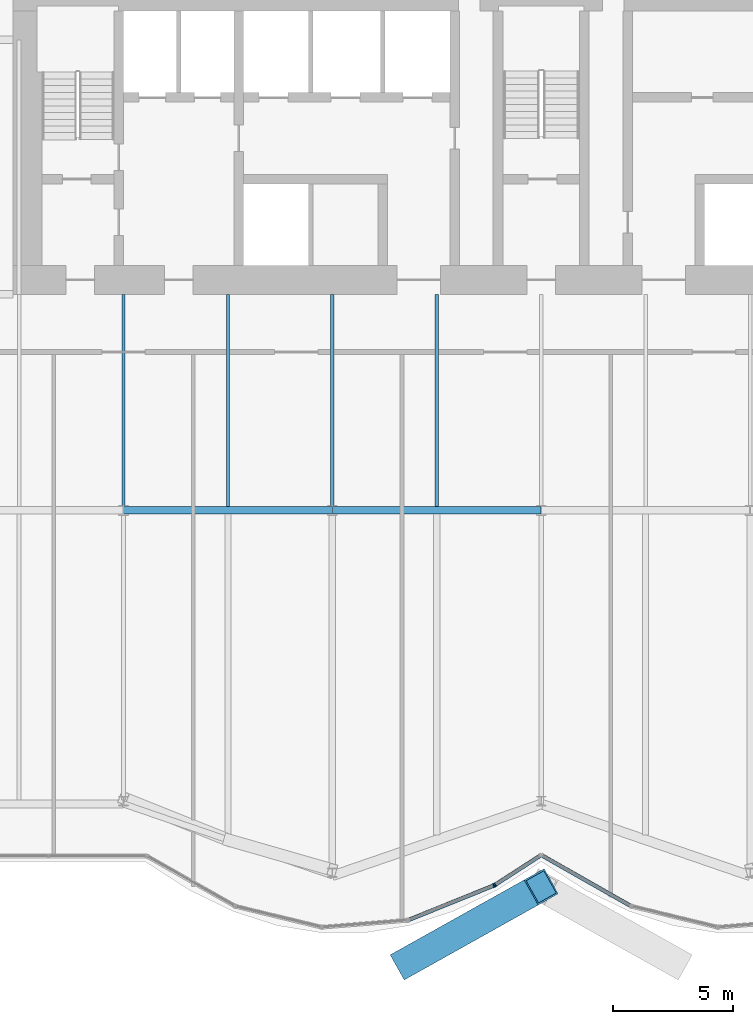
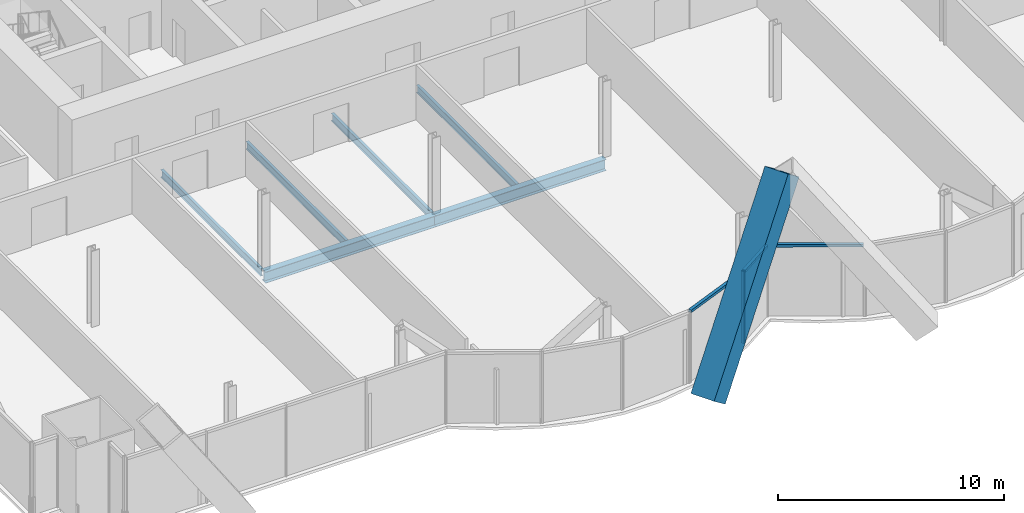
# One storey, part 7 of 21: 6 beams, 6 members, 2 elements without a shape of their own.
"""IFC4 building model written with IfcOpenShell, lengths in metres."""

from ifc_helpers import new_model, si_unit, direction, frame, origin, origin_2d, place, context, subcontext, project, spatial, rectangle, hollow_rectangle, i_section, extrude, material, material_profile, profile_set, type_object, element, aggregate, save


model = new_model("IFC4")

# Units and contexts
model_context = context("Model", 3, precision=1e-05, world=origin(), true_north=direction((0.0, 1.0)))
body_context = subcontext(model_context, "Body", "Model", "MODEL_VIEW")
ifc_project = project(units=[si_unit("LENGTHUNIT", "METRE"), si_unit("AREAUNIT", "SQUARE_METRE"), si_unit("VOLUMEUNIT", "CUBIC_METRE"), si_unit("PLANEANGLEUNIT", "RADIAN"), si_unit("MASSUNIT", "GRAM", prefix="KILO")], contexts=[model_context])

# Site, building, storey
site_placement = place(None, origin())
site = spatial("IfcSite", under=ifc_project, at=site_placement, CompositionType="ELEMENT")
building_placement = place(site_placement, origin())
building = spatial("IfcBuilding", under=site, at=building_placement, Name="Bicima Exchange Tower", CompositionType="ELEMENT")
storey_placement = place(building_placement, frame((0.0, 0.0, 130.89990234375)))
storey = spatial("IfcBuildingStorey", under=building, at=storey_placement, Name="L28", CompositionType="ELEMENT", Elevation=130.89990234375)

# Member
ifc_material_1 = material(Name="Steel ASTM A572 Gr 50", Category="steel")
ifc_material_profile_1 = material_profile(ifc_material_1, hollow_rectangle(XDim=1.199951171875, YDim=1.199951171875, WallThickness=0.070068359375, at=origin_2d()))
ifc_profile_set_1 = profile_set([ifc_material_profile_1], Name="Steel ASTM A572 Gr 50")
member_type_1 = type_object("IfcMemberType", Name="Exo mega brace BOX 1200x1200x70", PredefinedType="BRACE", material=ifc_profile_set_1)
member_1_placement = place(storey_placement, frame((-5.583251953125, -40.8076171875, 0.183349609375), z_axis=(0.528119121973, 0.295385530157, 0.796139172243), x_axis=(-0.488148920335, 0.872760351743, 0.0)))
element("IfcMember", 1, at=member_1_placement, inside=storey, type_object=member_type_1, Name="Exo mega brace front", PredefinedType="BRACE", context=body_context, shape_type="SweptSolid", body=[
    extrude(hollow_rectangle(XDim=1.199951171875, YDim=1.199951171875, WallThickness=0.070068359375, at=origin_2d()), origin(), (0.0, 0.0, 1.0), 10.572021484375),
])

# Beams
ifc_material_2 = material(Name="Steel ASTM A992 Gr 50", Category="steel")
ifc_material_profile_2 = material_profile(ifc_material_2, i_section(OverallWidth=0.140380859375, OverallDepth=0.40380859375, WebThickness=0.007080078125, FlangeThickness=0.01123046875, at=origin_2d()))
ifc_profile_set_2 = profile_set([ifc_material_profile_2], Name="Steel ASTM A992 Gr 50")
beam_type_1 = type_object("IfcBeamType", Name="Floor beam W16x31", PredefinedType="JOIST", material=ifc_profile_set_2)
for number, where, z_axis, x_axis, name in (
    (2, (-17.39990234375, -13.0, -0.351806640625), (0.0, -1.0, 0.0), (1.0, 0.0, 0.0), "Floor beam"),
    (3, (-13.050048828125, -13.0, -0.351806640625), (0.0, -1.0, 0.0), (1.0, 0.0, 0.0), "Floor beam"),
    (4, (-8.699951171875, -13.0, -0.351806640625), (0.0, -1.0, 0.0), (1.0, 0.0, 0.0), "Floor beam"),
    (5, (-4.35009765625, -13.0, -0.351806640625), (0.0, -1.0, 0.0), (1.0, 0.0, 0.0), "Floor beam"),
):
    element("IfcBeam", number, at=place(storey_placement, frame(where, z_axis=z_axis, x_axis=x_axis)), inside=storey, type_object=beam_type_1, Name=name, PredefinedType="JOIST", context=body_context, shape_type="SweptSolid", body=[
        extrude(i_section(OverallWidth=0.140380859375, OverallDepth=0.40380859375, WebThickness=0.007080078125, FlangeThickness=0.01123046875, at=origin_2d()), origin(), (0.0, 0.0, 1.0), 8.83740234375),
    ])

# Curtain wall, members
ifc_material_3 = material(Name="Anodised bronze aluminium", Category="aluminium")
curtain_wall_type = type_object("IfcCurtainWallType", Name="Front glass wall", PredefinedType="NOTDEFINED", material=ifc_material_3)
curtain_wall_1_placement = place(storey_placement, origin())
curtain_wall_1 = element("IfcCurtainWall", 6, at=curtain_wall_1_placement, inside=storey, type_object=curtain_wall_type, Name="Front glass wall L28 run 6", PredefinedType="NOTDEFINED")
ifc_material_profile_3 = material_profile(ifc_material_3, rectangle(XDim=0.159912109375, YDim=0.06005859375, at=origin_2d()))
ifc_profile_set_3 = profile_set([ifc_material_profile_3], Name="Anodised bronze aluminium")
member_type_2 = type_object("IfcMemberType", Name="Front glass wall mullion 60 x 160", PredefinedType="MULLION", material=ifc_profile_set_3)
member_2_placement = place(storey_placement, frame((-1.97412109375, -37.627685546875, 0.0), z_axis=(0.0, 0.0, 1.0), x_axis=(-0.374705304, 0.92714396679, 0.0)))
member_2 = element("IfcMember", 7, at=member_2_placement, type_object=member_type_2, Name="Front glass wall mullion 2", PredefinedType="MULLION", context=body_context, shape_type="SweptSolid", body=[
    extrude(rectangle(XDim=0.159912109375, YDim=0.06005859375, at=origin_2d()), origin(), (0.0, 0.0, 1.0), 3.900146484375),
])
member_3_placement = place(storey_placement, frame((-1.921142578125, -37.60009765625, 0.0), z_axis=(0.0, 0.0, 1.0), x_axis=(-0.542897457326, 0.839798994301, 0.0)))
member_3 = element("IfcMember", 8, at=member_3_placement, type_object=member_type_2, Name="Front glass wall mullion 1", PredefinedType="MULLION", context=body_context, shape_type="SweptSolid", body=[
    extrude(rectangle(XDim=0.159912109375, YDim=0.06005859375, at=origin_2d()), origin(), (0.0, 0.0, 1.0), 3.900146484375),
])
ifc_material_profile_4 = material_profile(ifc_material_3, rectangle(XDim=0.159912109375, YDim=0.139892578125, at=origin_2d()))
ifc_profile_set_4 = profile_set([ifc_material_profile_4], Name="Anodised bronze aluminium")
member_type_3 = type_object("IfcMemberType", Name="Front glass wall transom 140 x 160", PredefinedType="USERDEFINED", material=ifc_profile_set_4)
member_4_placement = place(storey_placement, frame((-5.498291015625, -39.052001953125, 3.830078125), z_axis=(0.927140215882, 0.374714584842, 0.0), x_axis=(-0.374714584842, 0.927140215882, 0.0)))
member_4 = element("IfcMember", 9, at=member_4_placement, type_object=member_type_3, Name="Front glass wall transom 1.1", ObjectType="TRANSOM", PredefinedType="USERDEFINED", context=body_context, shape_type="SweptSolid", body=[
    extrude(rectangle(XDim=0.159912109375, YDim=0.139892578125, at=origin_2d()), origin(), (0.0, 0.0, 1.0), 3.77099609375),
])
member_5_placement = place(storey_placement, frame((-1.89599609375, -37.583740234375, 3.830078125), z_axis=(0.839811483481, 0.542878137536, 0.0), x_axis=(-0.542878137536, 0.839811483481, 0.0)))
member_5 = element("IfcMember", 10, at=member_5_placement, type_object=member_type_3, Name="Front glass wall transom 1.1", ObjectType="TRANSOM", PredefinedType="USERDEFINED", context=body_context, shape_type="SweptSolid", body=[
    extrude(rectangle(XDim=0.159912109375, YDim=0.139892578125, at=origin_2d()), origin(), (0.0, 0.0, 1.0), 2.19775390625),
])
aggregate(curtain_wall_1, [member_2, member_4, member_3, member_5])

# Curtain wall, member
curtain_wall_2_placement = place(storey_placement, origin())
curtain_wall_2 = element("IfcCurtainWall", 11, at=curtain_wall_2_placement, inside=storey, type_object=curtain_wall_type, Name="Front glass wall L28 run 11", PredefinedType="NOTDEFINED")
member_6_placement = place(storey_placement, frame((0.05224609375, -36.3876953125, 3.830078125), z_axis=(0.869265121745, -0.494346182466, 0.0), x_axis=(0.494346182466, 0.869265121745, 0.0)))
member_6 = element("IfcMember", 12, at=member_6_placement, type_object=member_type_3, Name="Front glass wall transom 1.1", ObjectType="TRANSOM", PredefinedType="USERDEFINED", context=body_context, shape_type="SweptSolid", body=[
    extrude(rectangle(XDim=0.159912109375, YDim=0.139892578125, at=origin_2d()), origin(), (0.0, 0.0, 1.0), 4.19677734375),
])
aggregate(curtain_wall_2, [member_6])

# Beams
ifc_material_profile_5 = material_profile(ifc_material_2, i_section(OverallWidth=0.3251953125, OverallDepth=0.612060546875, WebThickness=0.0126953125, FlangeThickness=0.01904296875, at=origin_2d()))
ifc_profile_set_5 = profile_set([ifc_material_profile_5], Name="Steel ASTM A992 Gr 50")
beam_type_2 = type_object("IfcBeamType", Name="Row girder W24x104", PredefinedType="BEAM", material=ifc_profile_set_5)
for number, where, z_axis, x_axis, name in (
    (13, (-17.39990234375, -22.0, -0.4560546875), (1.0, 0.0, 0.0), (0.0, 1.0, 0.0), "Row girder"),
    (14, (-8.699951171875, -22.0, -0.4560546875), (1.0, 0.0, 0.0), (0.0, 1.0, 0.0), "Row girder"),
):
    element("IfcBeam", number, at=place(storey_placement, frame(where, z_axis=z_axis, x_axis=x_axis)), inside=storey, type_object=beam_type_2, Name=name, PredefinedType="BEAM", context=body_context, shape_type="SweptSolid", body=[
        extrude(i_section(OverallWidth=0.3251953125, OverallDepth=0.612060546875, WebThickness=0.0126953125, FlangeThickness=0.01904296875, at=origin_2d()), origin(), (0.0, 0.0, 1.0), 8.699951171875),
    ])

save(model, "model.ifc")
